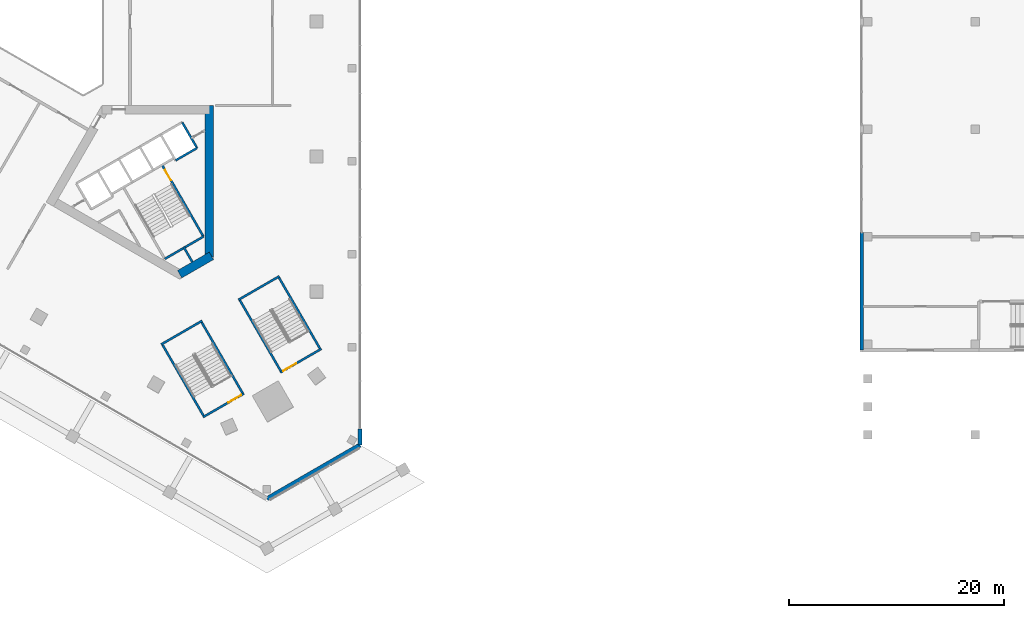
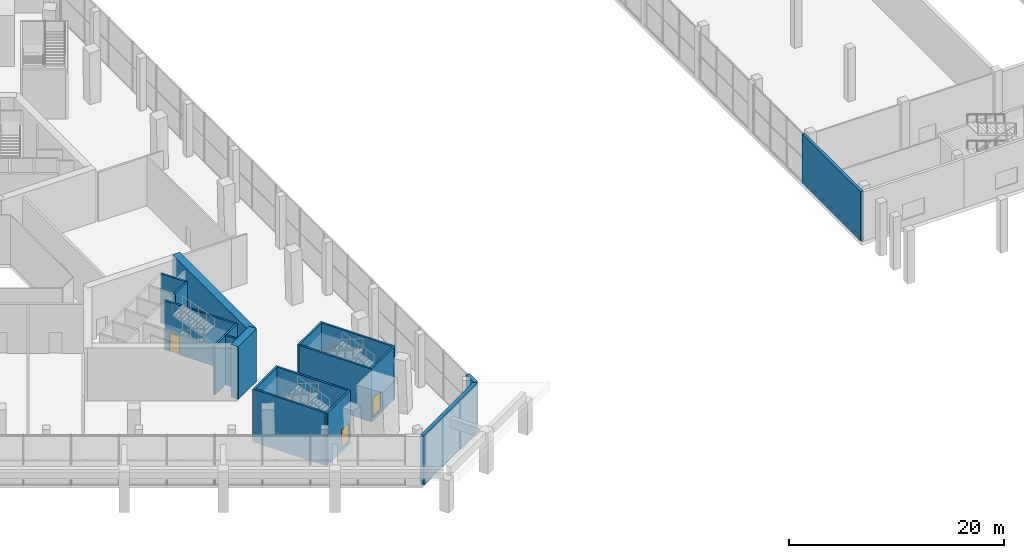
# One storey, part 28 of 51: 18 walls, 3 doors, 3 openings.
"""IFC4 building model written with IfcOpenShell, lengths in metres."""

from ifc_helpers import new_model, si_unit, direction, frame, frame_2d, origin, place, context, subcontext, project, spatial, rectangle, extrude, material, layer, layer_set, type_object, element, fill, save


model = new_model("IFC4")

# Units and contexts
model_context = context("Model", 3, precision=1e-05, world=origin(), true_north=direction((0.0, 1.0)))
body_context = subcontext(model_context, "Body", "Model", "MODEL_VIEW")
ifc_project = project(units=[si_unit("LENGTHUNIT", "METRE"), si_unit("AREAUNIT", "SQUARE_METRE"), si_unit("VOLUMEUNIT", "CUBIC_METRE"), si_unit("PLANEANGLEUNIT", "RADIAN"), si_unit("MASSUNIT", "GRAM", prefix="KILO")], contexts=[model_context])

# Site, building, storey
site_placement = place(None, origin())
site = spatial("IfcSite", under=ifc_project, at=site_placement, CompositionType="ELEMENT")
building_placement = place(site_placement, origin())
building = spatial("IfcBuilding", under=site, at=building_placement, Name="Jabali Bay Hotel Tower and Convention Centre", CompositionType="ELEMENT")
storey_placement = place(building_placement, frame((0.0, 0.0, 9.0)))
storey = spatial("IfcBuildingStorey", under=building, at=storey_placement, Name="L01", CompositionType="ELEMENT", Elevation=9.0)

# Walls
ifc_material_1 = material(Name="Concrete C40", Category="concrete")
ifc_layer_1 = layer(ifc_material_1, 0.300048828125)
ifc_layer_set_1 = layer_set([ifc_layer_1], Name="Concrete C40")
wall_type_1 = type_object("IfcWallType", Name="CC External Wall 300", PredefinedType="SOLIDWALL", material=ifc_layer_set_1)
wall_1_placement = place(storey_placement, frame((150.14990234375, 49.449951171875, 0.0), z_axis=(0.0, 0.0, 1.0), x_axis=(0.0, 1.0, 0.0)))
element("IfcWall", 1, at=wall_1_placement, inside=storey, type_object=wall_type_1, Name="CC wall 270", PredefinedType="SOLIDWALL", context=body_context, shape_type="SweptSolid", body=[
    extrude(rectangle(XDim=10.949951171875, YDim=0.300048828125, at=frame_2d((5.47509765625, 0.0))), origin(), (0.0, 0.0, 1.0), 5.590087890625),
])
ifc_layer_2 = layer(ifc_material_1, 0.199951171875)
ifc_layer_set_2 = layer_set([ifc_layer_2], Name="Concrete C40")
wall_type_2 = type_object("IfcWallType", Name="Core partition wall 200", PredefinedType="PARTITIONING", material=ifc_layer_set_2)
wall_2_placement = place(storey_placement, frame((87.090087890625, 59.0595703125, 0.0), z_axis=(0.0, 0.0, 1.0), x_axis=(0.499956811548, -0.866050337213, 0.0)))
element("IfcWall", 2, at=wall_2_placement, inside=storey, type_object=wall_type_2, Name="Core wall 2.5 L01", PredefinedType="PARTITIONING", context=body_context, shape_type="SweptSolid", body=[
    extrude(rectangle(XDim=1.623291015625, YDim=0.199951171875, at=frame_2d((0.8115234375, 0.0))), origin(), (0.0, 0.0, 1.0), 5.60009765625),
])

# Wall, opening, door
ifc_layer_3 = layer(ifc_material_1, 0.199951171875)
ifc_layer_set_3 = layer_set([ifc_layer_3], Name="Concrete C40")
wall_type_3 = type_object("IfcWallType", Name="Core stair wall 200", PredefinedType="SOLIDWALL", material=ifc_layer_set_3)
wall_3_placement = place(storey_placement, frame((85.0869140625, 66.6787109375, 0.0), z_axis=(0.0, 0.0, 1.0), x_axis=(0.500019787375, -0.866013979237, 0.0)))
wall_3 = element("IfcWall", 3, at=wall_3_placement, inside=storey, type_object=wall_type_3, Name="Core wall 2.7 L01", PredefinedType="SOLIDWALL", context=body_context, shape_type="SweptSolid", body=[
    extrude(rectangle(XDim=7.699951171875, YDim=0.199951171875, at=frame_2d((3.85009765625, 0.0))), origin(), (0.0, 0.0, 1.0), 5.60009765625),
])
opening_1_placement = place(wall_3_placement, frame((0.550048828125, 0.0, 0.0)))
opening_1 = element("IfcOpeningElement", 4, at=opening_1_placement, cuts=wall_3, Name="Opening D142", PredefinedType="OPENING", context=body_context, shape_type="SweptSolid", body=[
    extrude(rectangle(XDim=1.10009765625, YDim=2.10009765625, at=frame_2d((0.550048828125, 1.050048828125))), frame((0.0, 0.1103515625, 0.0), z_axis=(0.0, -1.0, 0.0), x_axis=(1.0, 0.0, 0.0)), (0.0, 0.0, 1.0), 0.220947265625),
])
ifc_material_2 = material(Name="Fire-rated steel door", Category="steel")
door_type_1 = type_object("IfcDoorType", Name="Stair fire door 1100 x 2100", OperationType="NOTDEFINED", PredefinedType="NOTDEFINED", material=ifc_material_2)
door_1_placement = place(opening_1_placement, origin())
door_1 = element("IfcDoor", 5, at=door_1_placement, inside=storey, type_object=door_type_1, Name="Stair fire door D142", OperationType="SINGLE_SWING_RIGHT", OverallHeight=2.10009765625, OverallWidth=1.10009765625, PredefinedType="NOTDEFINED", context=body_context, shape_type="SweptSolid", body=[
    extrude(rectangle(XDim=1.10009765625, YDim=2.10009765625, at=frame_2d((0.550048828125, 1.050048828125))), frame((0.0, 0.02490234375, 0.0), z_axis=(0.0, -1.0, 0.0), x_axis=(1.0, 0.0, 0.0)), (0.0, 0.0, 1.0), 0.050048828125),
])
fill(opening_1, door_1)

# Walls
wall_4_placement = place(storey_placement, frame((86.964599609375, 70.62646484375, 0.0), z_axis=(0.0, 0.0, 1.0), x_axis=(0.499996545922, -0.866027397988, 0.0)))
element("IfcWall", 6, at=wall_4_placement, inside=storey, type_object=wall_type_3, Name="Core wall 2.9 L01", PredefinedType="SOLIDWALL", context=body_context, shape_type="SweptSolid", body=[
    extrude(rectangle(XDim=2.75, YDim=0.199951171875, at=frame_2d((1.375, 0.0))), origin(), (0.0, 0.0, 1.0), 5.60009765625),
])
wall_5_placement = place(storey_placement, frame((86.347900390625, 67.094970703125, 0.0), z_axis=(0.0, 0.0, 1.0), x_axis=(0.86602648383, 0.499998129301, 0.0)))
element("IfcWall", 7, at=wall_5_placement, inside=storey, type_object=wall_type_3, Name="Core wall 2.15 L01", PredefinedType="SOLIDWALL", context=body_context, shape_type="SweptSolid", body=[
    extrude(rectangle(XDim=2.2998046875, YDim=0.199951171875, at=frame_2d((1.14990234375, 0.0))), origin(), (0.0, 0.0, 1.0), 5.60009765625),
])
wall_6_placement = place(storey_placement, frame((85.343017578125, 57.935302734375, 0.0), z_axis=(0.0, 0.0, 1.0), x_axis=(0.866004344652, 0.500036473714, 0.0)))
element("IfcWall", 8, at=wall_6_placement, inside=storey, type_object=wall_type_3, Name="Core wall 2.17 L01", PredefinedType="SOLIDWALL", context=body_context, shape_type="SweptSolid", body=[
    extrude(rectangle(XDim=4.150146484375, YDim=0.199951171875, at=frame_2d((2.0751953125, 0.0))), origin(), (0.0, 0.0, 1.0), 5.60009765625),
])
ifc_material_3 = material(Name="Concrete C60", Category="concrete")
ifc_layer_4 = layer(ifc_material_3, 0.800048828125)
ifc_layer_set_4 = layer_set([ifc_layer_4], Name="Concrete C60")
wall_type_4 = type_object("IfcWallType", Name="Core wall 800", PredefinedType="SHEAR", material=ifc_layer_set_4)
wall_7_placement = place(storey_placement, frame((86.72314453125, 56.51171875, 0.0), z_axis=(0.0, 0.0, 1.0), x_axis=(0.866034355626, 0.499984494636, 0.0)))
element("IfcWall", 9, at=wall_7_placement, inside=storey, type_object=wall_type_4, Name="Core wall 3.3 L01", PredefinedType="SHEAR", context=body_context, shape_type="SweptSolid", body=[
    extrude(rectangle(XDim=3.4140625, YDim=0.800048828125, at=frame_2d((1.70703125, 0.0))), origin(), (0.0, 0.0, 1.0), 6.0),
])
wall_8_placement = place(storey_placement, frame((89.47998046875, 58.103271484375, 0.0), z_axis=(0.0, 0.0, 1.0), x_axis=(0.0, 1.0, 0.0)))
element("IfcWall", 10, at=wall_8_placement, inside=storey, type_object=wall_type_4, Name="Core wall 3.4 L01", PredefinedType="SHEAR", context=body_context, shape_type="SweptSolid", body=[
    extrude(rectangle(XDim=14.1025390625, YDim=0.800048828125, at=frame_2d((7.05126953125, 0.0))), origin(), (0.0, 0.0, 1.0), 6.0),
])
ifc_layer_5 = layer(ifc_material_1, 0.39990234375)
ifc_layer_set_5 = layer_set([ifc_layer_5], Name="Concrete C40")
wall_type_5 = type_object("IfcWallType", Name="Podium external wall 400", PredefinedType="SOLIDWALL", material=ifc_layer_set_5)
wall_9_placement = place(storey_placement, frame((103.5, 42.136474609375, 0.0), z_axis=(0.0, 0.0, 1.0), x_axis=(0.0, -1.0, 0.0)))
element("IfcWall", 11, at=wall_9_placement, inside=storey, type_object=wall_type_5, Name="External wall east face L01", PredefinedType="SOLIDWALL", context=body_context, shape_type="SweptSolid", body=[
    extrude(rectangle(XDim=1.5, YDim=0.39990234375, at=frame_2d((0.75, 0.0))), origin(), (0.0, 0.0, 1.0), 5.60009765625),
])
wall_10_placement = place(storey_placement, frame((103.5, 40.636474609375, 0.0), z_axis=(0.0, 0.0, 1.0), x_axis=(-0.866022959057, -0.500004234368, 0.0)))
element("IfcWall", 12, at=wall_10_placement, inside=storey, type_object=wall_type_5, Name="External wall south-east chamfer L01", PredefinedType="SOLIDWALL", context=body_context, shape_type="SweptSolid", body=[
    extrude(rectangle(XDim=10.0, YDim=0.39990234375, at=frame_2d((5.0, 0.0))), origin(), (0.0, 0.0, 1.0), 5.60009765625),
])

# Wall, opening, door
ifc_layer_6 = layer(ifc_material_1, 0.199951171875)
ifc_layer_set_6 = layer_set([ifc_layer_6], Name="Concrete C40")
wall_type_6 = type_object("IfcWallType", Name="Podium stair enclosure wall 200", PredefinedType="SOLIDWALL", material=ifc_layer_set_6)
wall_11_placement = place(storey_placement, frame((96.0888671875, 47.373291015625, -0.39990234375), z_axis=(0.0, 0.0, 1.0), x_axis=(0.866018331238, 0.50001224981, 0.0)))
wall_11 = element("IfcWall", 13, at=wall_11_placement, inside=storey, type_object=wall_type_6, Name="Podium stair wall 5.1 L01", PredefinedType="SOLIDWALL", context=body_context, shape_type="SweptSolid", body=[
    extrude(rectangle(XDim=4.39990234375, YDim=0.199951171875, at=frame_2d((2.199951171875, 0.0))), origin(), (0.0, 0.0, 1.0), 6.0),
])
opening_2_placement = place(wall_11_placement, frame((0.300048828125, 0.0, 0.39990234375)))
opening_2 = element("IfcOpeningElement", 14, at=opening_2_placement, cuts=wall_11, Name="Opening D1757", PredefinedType="OPENING", context=body_context, shape_type="SweptSolid", body=[
    extrude(rectangle(XDim=1.39990234375, YDim=2.10009765625, at=frame_2d((0.699951171875, 1.050048828125))), frame((0.0, 0.1103515625, 0.0), z_axis=(0.0, -1.0, 0.0), x_axis=(1.0, 0.0, 0.0)), (0.0, 0.0, 1.0), 0.220947265625),
])
door_type_2 = type_object("IfcDoorType", Name="Podium stair fire door 1400 x 2100", OperationType="NOTDEFINED", PredefinedType="NOTDEFINED", material=ifc_material_2)
door_2_placement = place(opening_2_placement, origin())
door_2 = element("IfcDoor", 15, at=door_2_placement, inside=storey, type_object=door_type_2, Name="Podium stair fire door D1757", OperationType="SINGLE_SWING_RIGHT", OverallHeight=2.10009765625, OverallWidth=1.39990234375, PredefinedType="NOTDEFINED", context=body_context, shape_type="SweptSolid", body=[
    extrude(rectangle(XDim=1.39990234375, YDim=2.10009765625, at=frame_2d((0.699951171875, 1.050048828125))), frame((0.0, 0.02490234375, 0.0), z_axis=(0.0, -1.0, 0.0), x_axis=(1.0, 0.0, 0.0)), (0.0, 0.0, 1.0), 0.050048828125),
])
fill(opening_2, door_2)

# Walls
wall_12_placement = place(storey_placement, frame((99.862548828125, 49.4365234375, -0.39990234375), z_axis=(0.0, 0.0, 1.0), x_axis=(-0.49999894854, 0.866026010844, 0.0)))
element("IfcWall", 16, at=wall_12_placement, inside=storey, type_object=wall_type_6, Name="Podium stair wall 5.2 L01", PredefinedType="SOLIDWALL", context=body_context, shape_type="SweptSolid", body=[
    extrude(rectangle(XDim=8.0, YDim=0.199951171875, at=frame_2d((4.0, 0.0))), origin(), (0.0, 0.0, 1.0), 6.0),
])
wall_13_placement = place(storey_placement, frame((95.999267578125, 56.328125, -0.39990234375), z_axis=(0.0, 0.0, 1.0), x_axis=(-0.866032203192, -0.499988222896, 0.0)))
element("IfcWall", 17, at=wall_13_placement, inside=storey, type_object=wall_type_6, Name="Podium stair wall 5.3 L01", PredefinedType="SOLIDWALL", context=body_context, shape_type="SweptSolid", body=[
    extrude(rectangle(XDim=4.39990234375, YDim=0.199951171875, at=frame_2d((2.199951171875, 0.0))), origin(), (0.0, 0.0, 1.0), 6.0),
])
wall_14_placement = place(storey_placement, frame((92.225341796875, 54.264892578125, -0.39990234375), z_axis=(0.0, 0.0, 1.0), x_axis=(0.49999894854, -0.866026010844, 0.0)))
element("IfcWall", 18, at=wall_14_placement, inside=storey, type_object=wall_type_6, Name="Podium stair wall 5.4 L01", PredefinedType="SOLIDWALL", context=body_context, shape_type="SweptSolid", body=[
    extrude(rectangle(XDim=8.0, YDim=0.199951171875, at=frame_2d((4.0, 0.0))), origin(), (0.0, 0.0, 1.0), 6.0),
])

# Wall, opening, door
wall_15_placement = place(storey_placement, frame((88.900634765625, 43.22314453125, -0.39990234375), z_axis=(0.0, 0.0, 1.0), x_axis=(0.866032203192, 0.499988222896, 0.0)))
wall_15 = element("IfcWall", 19, at=wall_15_placement, inside=storey, type_object=wall_type_6, Name="Podium stair wall 6.1 L01", PredefinedType="SOLIDWALL", context=body_context, shape_type="SweptSolid", body=[
    extrude(rectangle(XDim=4.39990234375, YDim=0.199951171875, at=frame_2d((2.199951171875, 0.0))), origin(), (0.0, 0.0, 1.0), 6.0),
])
opening_3_placement = place(wall_15_placement, frame((2.699951171875, 0.0, 0.39990234375)))
opening_3 = element("IfcOpeningElement", 20, at=opening_3_placement, cuts=wall_15, Name="Opening D1762", PredefinedType="OPENING", context=body_context, shape_type="SweptSolid", body=[
    extrude(rectangle(XDim=1.39990234375, YDim=2.10009765625, at=frame_2d((0.699951171875, 1.050048828125))), frame((0.0, 0.1103515625, 0.0), z_axis=(0.0, -1.0, 0.0), x_axis=(1.0, 0.0, 0.0)), (0.0, 0.0, 1.0), 0.220947265625),
])
door_3_placement = place(opening_3_placement, origin())
door_3 = element("IfcDoor", 21, at=door_3_placement, inside=storey, type_object=door_type_2, Name="Podium stair fire door D1762", OperationType="SINGLE_SWING_RIGHT", OverallHeight=2.10009765625, OverallWidth=1.39990234375, PredefinedType="NOTDEFINED", context=body_context, shape_type="SweptSolid", body=[
    extrude(rectangle(XDim=1.39990234375, YDim=2.10009765625, at=frame_2d((0.699951171875, 1.050048828125))), frame((0.0, 0.02490234375, 0.0), z_axis=(0.0, -1.0, 0.0), x_axis=(1.0, 0.0, 0.0)), (0.0, 0.0, 1.0), 0.050048828125),
])
fill(opening_3, door_3)

# Walls
wall_16_placement = place(storey_placement, frame((92.674560546875, 45.28662109375, -0.39990234375), z_axis=(0.0, 0.0, 1.0), x_axis=(-0.49999894854, 0.866026010844, 0.0)))
element("IfcWall", 22, at=wall_16_placement, inside=storey, type_object=wall_type_6, Name="Podium stair wall 6.2 L01", PredefinedType="SOLIDWALL", context=body_context, shape_type="SweptSolid", body=[
    extrude(rectangle(XDim=8.0, YDim=0.199951171875, at=frame_2d((4.0, 0.0))), origin(), (0.0, 0.0, 1.0), 6.0),
])
wall_17_placement = place(storey_placement, frame((88.811279296875, 52.17822265625, -0.39990234375), z_axis=(0.0, 0.0, 1.0), x_axis=(-0.866032203192, -0.499988222896, 0.0)))
element("IfcWall", 23, at=wall_17_placement, inside=storey, type_object=wall_type_6, Name="Podium stair wall 6.3 L01", PredefinedType="SOLIDWALL", context=body_context, shape_type="SweptSolid", body=[
    extrude(rectangle(XDim=4.39990234375, YDim=0.199951171875, at=frame_2d((2.199951171875, 0.0))), origin(), (0.0, 0.0, 1.0), 6.0),
])
wall_18_placement = place(storey_placement, frame((85.037353515625, 50.11474609375, -0.39990234375), z_axis=(0.0, 0.0, 1.0), x_axis=(0.49999894854, -0.866026010844, 0.0)))
element("IfcWall", 24, at=wall_18_placement, inside=storey, type_object=wall_type_6, Name="Podium stair wall 6.4 L01", PredefinedType="SOLIDWALL", context=body_context, shape_type="SweptSolid", body=[
    extrude(rectangle(XDim=8.0, YDim=0.199951171875, at=frame_2d((4.0, 0.0))), origin(), (0.0, 0.0, 1.0), 6.0),
])

save(model, "model.ifc")
